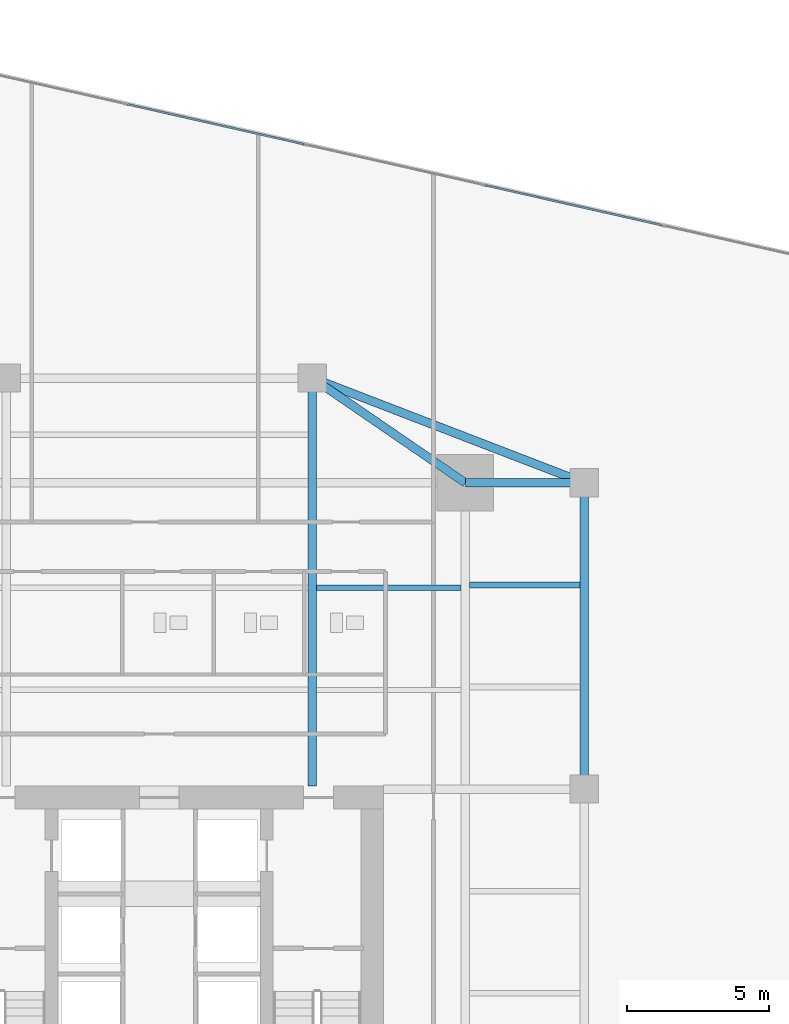
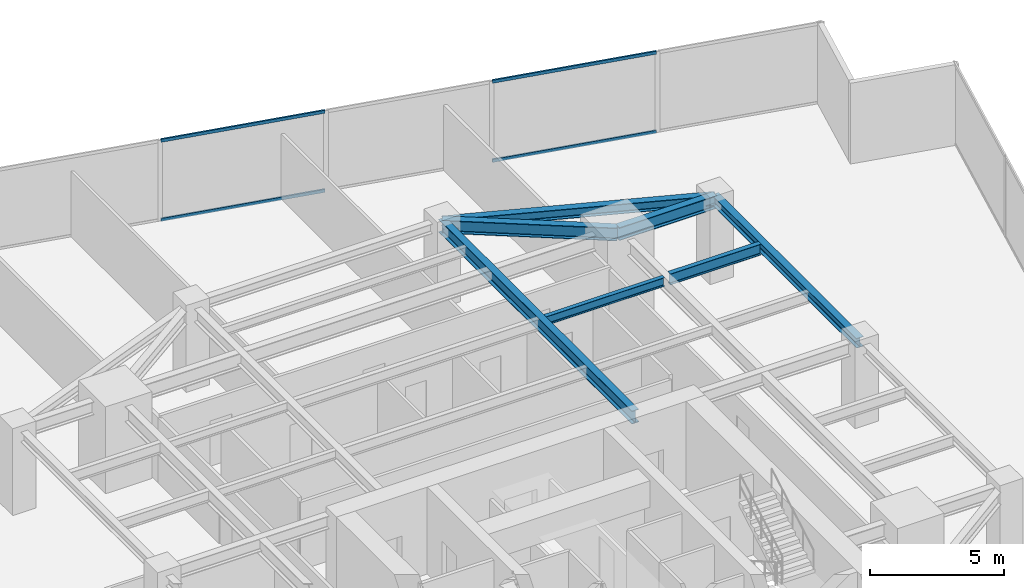
# One storey, part 19 of 26: 7 beams, 4 members, 1 element without a shape of its own.
"""IFC4 building model written with IfcOpenShell, lengths in metres."""

from ifc_helpers import new_model, si_unit, direction, frame, origin, origin_2d, place, context, subcontext, project, spatial, hollow_rectangle, i_section, extrude, source, transform, mapped, material, material_profile, profile_set, type_object, type_shapes, element, aggregate, save


model = new_model("IFC4")

# Units and contexts
model_context = context("Model", 3, precision=1e-05, world=origin(), true_north=direction((0.0, 1.0)))
body_context = subcontext(model_context, "Body", "Model", "MODEL_VIEW")
ifc_project = project(units=[si_unit("LENGTHUNIT", "METRE"), si_unit("AREAUNIT", "SQUARE_METRE"), si_unit("VOLUMEUNIT", "CUBIC_METRE"), si_unit("PLANEANGLEUNIT", "RADIAN"), si_unit("MASSUNIT", "GRAM", prefix="KILO")], contexts=[model_context])

# Site, building, storey
site_placement = place(None, origin())
site = spatial("IfcSite", under=ifc_project, at=site_placement, CompositionType="ELEMENT")
building_placement = place(site_placement, origin())
building = spatial("IfcBuilding", under=site, at=building_placement, Name="Krantzveldt Concourse Tower", CompositionType="ELEMENT")
storey_placement = place(building_placement, frame((0.0, 0.0, 94.0)))
storey = spatial("IfcBuildingStorey", under=building, at=storey_placement, Name="L22", CompositionType="ELEMENT", Elevation=94.0)

# Beams
ifc_material_1 = material(Name="Steel S355JR", Category="steel")
ifc_material_profile_1 = material_profile(ifc_material_1, i_section(OverallWidth=0.300048828125, OverallDepth=0.590087890625, WebThickness=0.012939453125, FlangeThickness=0.02490234375, FilletRadius=0.027099609375, at=origin_2d()), Name="Steel S355JR", Category="steel")
ifc_profile_set_1 = profile_set([ifc_material_profile_1], Name="Steel S355JR - HEA 600")
beam_type_1 = type_object("IfcBeamType", Name="BM-B-HEA600", PredefinedType="BEAM", material=ifc_profile_set_1)
shared_shape_1 = source(origin(), body_context, "Body", "SweptSolid", [
    extrude(i_section(OverallWidth=0.300048828125, OverallDepth=0.590087890625, WebThickness=0.012939453125, FlangeThickness=0.02490234375, FilletRadius=0.027099609375, at=origin_2d()), origin(), (0.0, 0.0, 1.0), 14.39990234375),
])
beam_1_placement = place(storey_placement, frame((41.39990234375, 26.800048828125, 3.375), z_axis=(0.0, 1.0, 0.0), x_axis=(-1.0, 0.0, 0.0)))
element("IfcBeam", 1, at=beam_1_placement, inside=storey, type_object=beam_type_1, Name="L22 Tower Girder BG-CNE", PredefinedType="BEAM", context=body_context, shape_type="MappedRepresentation", body=[
    mapped(shared_shape_1, transform((0.0, 0.0, 0.0), x_axis=(1.0, 0.0, 0.0), y_axis=(0.0, 1.0, 0.0), z_axis=(0.0, 0.0, 1.0), scale=1.0)),
])
ifc_material_profile_2 = material_profile(ifc_material_1, i_section(OverallWidth=0.300048828125, OverallDepth=0.43994140625, WebThickness=0.011474609375, FlangeThickness=0.02099609375, FilletRadius=0.027099609375, at=origin_2d()), Name="Steel S355JR", Category="steel")
ifc_profile_set_2 = profile_set([ifc_material_profile_2], Name="Steel S355JR - HEA 450")
beam_type_2 = type_object("IfcBeamType", Name="BM-SP-HEA450", PredefinedType="SPANDREL", material=ifc_profile_set_2)
shared_shape_2 = source(origin(), body_context, "Body", "SweptSolid", [
    extrude(i_section(OverallWidth=0.300048828125, OverallDepth=0.43994140625, WebThickness=0.011474609375, FlangeThickness=0.02099609375, FilletRadius=0.027099609375, at=origin_2d()), origin(), (0.0, 0.0, 1.0), 10.800048828125),
])
beam_2_placement = place(storey_placement, frame((51.0, 37.5, 3.449951171875), z_axis=(0.0, -1.0, 0.0), x_axis=(1.0, 0.0, 0.0)))
element("IfcBeam", 2, at=beam_2_placement, inside=storey, type_object=beam_type_2, Name="L22 Tower Girder SP-R06", PredefinedType="SPANDREL", context=body_context, shape_type="MappedRepresentation", body=[
    mapped(shared_shape_2, transform((0.0, 0.0, 0.0), x_axis=(1.0, 0.0, 0.0), y_axis=(0.0, 1.0, 0.0), z_axis=(0.0, 0.0, 1.0), scale=1.0)),
])
shared_shape_3 = source(origin(), body_context, "Body", "SweptSolid", [
    extrude(i_section(OverallWidth=0.300048828125, OverallDepth=0.43994140625, WebThickness=0.011474609375, FlangeThickness=0.02099609375, FilletRadius=0.027099609375, at=origin_2d()), origin(), (0.0, 0.0, 1.0), 10.288330078125),
])
type_shapes(beam_type_2, [shared_shape_2, shared_shape_3])
beam_3_placement = place(storey_placement, frame((41.39990234375, 41.199951171875, 3.449951171875), z_axis=(0.933097690408, -0.359622997257, 0.0), x_axis=(0.359622997257, 0.933097690408, 0.0)))
element("IfcBeam", 3, at=beam_3_placement, inside=storey, type_object=beam_type_2, Name="L22 Tower Girder SP-R05", PredefinedType="SPANDREL", context=body_context, shape_type="MappedRepresentation", body=[
    mapped(shared_shape_3, transform((0.0, 0.0, 0.0), x_axis=(1.0, 0.0, 0.0), y_axis=(0.0, 1.0, 0.0), z_axis=(0.0, 0.0, 1.0), scale=1.0)),
])
shared_shape_4 = source(origin(), body_context, "Body", "SweptSolid", [
    extrude(i_section(OverallWidth=0.300048828125, OverallDepth=0.590087890625, WebThickness=0.012939453125, FlangeThickness=0.02490234375, FilletRadius=0.027099609375, at=origin_2d()), origin(), (0.0, 0.0, 1.0), 4.199951171875),
])
beam_4_placement = place(storey_placement, frame((46.800048828125, 37.5, 3.375), z_axis=(1.0, 0.0, 0.0), x_axis=(0.0, 1.0, 0.0)))
element("IfcBeam", 4, at=beam_4_placement, inside=storey, type_object=beam_type_1, Name="L22 Tower Girder BR-RR3", PredefinedType="BEAM", context=body_context, shape_type="MappedRepresentation", body=[
    mapped(shared_shape_4, transform((0.0, 0.0, 0.0), x_axis=(1.0, 0.0, 0.0), y_axis=(0.0, 1.0, 0.0), z_axis=(0.0, 0.0, 1.0), scale=1.0)),
])
shared_shape_5 = source(origin(), body_context, "Body", "SweptSolid", [
    extrude(i_section(OverallWidth=0.300048828125, OverallDepth=0.590087890625, WebThickness=0.012939453125, FlangeThickness=0.02490234375, FilletRadius=0.027099609375, at=origin_2d()), origin(), (0.0, 0.0, 1.0), 6.546142578125),
])
type_shapes(beam_type_1, [shared_shape_1, shared_shape_4, shared_shape_5])
beam_5_placement = place(storey_placement, frame((46.800048828125, 37.5, 3.375), z_axis=(-0.824942999484, 0.565215930068, 0.0), x_axis=(-0.565215930068, -0.824942999484, 0.0)))
element("IfcBeam", 5, at=beam_5_placement, inside=storey, type_object=beam_type_1, Name="L22 Tower Girder BR-RR4", PredefinedType="BEAM", context=body_context, shape_type="MappedRepresentation", body=[
    mapped(shared_shape_5, transform((0.0, 0.0, 0.0), x_axis=(1.0, 0.0, 0.0), y_axis=(0.0, 1.0, 0.0), z_axis=(0.0, 0.0, 1.0), scale=1.0)),
])
ifc_material_profile_3 = material_profile(ifc_material_1, i_section(OverallWidth=0.179931640625, OverallDepth=0.39990234375, WebThickness=0.008544921875, FlangeThickness=0.013427734375, FilletRadius=0.02099609375, at=origin_2d()), Name="Steel S355JR", Category="steel")
ifc_profile_set_3 = profile_set([ifc_material_profile_3], Name="Steel S355JR - IPE 400")
beam_type_3 = type_object("IfcBeamType", Name="BM-J-IPE400", PredefinedType="JOIST", material=ifc_profile_set_3)
shared_shape_6 = source(origin(), body_context, "Body", "SweptSolid", [
    extrude(i_section(OverallWidth=0.179931640625, OverallDepth=0.39990234375, WebThickness=0.008544921875, FlangeThickness=0.013427734375, FilletRadius=0.02099609375, at=origin_2d()), origin(), (0.0, 0.0, 1.0), 5.099853515625),
])
type_shapes(beam_type_3, [shared_shape_6])
beam_6_placement = place(storey_placement, frame((41.550048828125, 33.800048828125, 3.469970703125), z_axis=(1.0, 0.0, 0.0), x_axis=(0.0, 1.0, 0.0)))
element("IfcBeam", 6, at=beam_6_placement, inside=storey, type_object=beam_type_3, Name="L22 Secondary Floor Joist JN-E2", PredefinedType="JOIST", context=body_context, shape_type="MappedRepresentation", body=[
    mapped(shared_shape_6, transform((0.0, 0.0, 0.0), x_axis=(1.0, 0.0, 0.0), y_axis=(0.0, 1.0, 0.0), z_axis=(0.0, 0.0, 1.0), scale=1.0)),
])
ifc_material_profile_4 = material_profile(ifc_material_1, i_section(OverallWidth=0.199951171875, OverallDepth=0.5, WebThickness=0.01025390625, FlangeThickness=0.01611328125, FilletRadius=0.02099609375, at=origin_2d()), Name="Steel S355JR", Category="steel")
ifc_profile_set_4 = profile_set([ifc_material_profile_4], Name="Steel S355JR - IPE 500")
beam_type_4 = type_object("IfcBeamType", Name="BM-J-IPE500", PredefinedType="JOIST", material=ifc_profile_set_4)
shared_shape_7 = source(origin(), body_context, "Body", "SweptSolid", [
    extrude(i_section(OverallWidth=0.199951171875, OverallDepth=0.5, WebThickness=0.01025390625, FlangeThickness=0.01611328125, FilletRadius=0.02099609375, at=origin_2d()), origin(), (0.0, 0.0, 1.0), 3.900146484375),
])
type_shapes(beam_type_4, [shared_shape_7])
beam_7_placement = place(storey_placement, frame((46.949951171875, 33.89990234375, 3.419921875), z_axis=(1.0, 0.0, 0.0), x_axis=(0.0, 1.0, 0.0)))
element("IfcBeam", 7, at=beam_7_placement, inside=storey, type_object=beam_type_4, Name="L22 Secondary Floor Joist JE-4", PredefinedType="JOIST", context=body_context, shape_type="MappedRepresentation", body=[
    mapped(shared_shape_7, transform((0.0, 0.0, 0.0), x_axis=(1.0, 0.0, 0.0), y_axis=(0.0, 1.0, 0.0), z_axis=(0.0, 0.0, 1.0), scale=1.0)),
])

# Curtain wall, members
ifc_material_2 = material(Name="Anodised aluminium 6063-T6", Category="aluminium")
curtain_wall_type = type_object("IfcCurtainWallType", Name="CW2", PredefinedType="USERDEFINED", material=ifc_material_2)
curtain_wall_placement = place(storey_placement, origin())
curtain_wall = element("IfcCurtainWall", 8, at=curtain_wall_placement, inside=storey, type_object=curtain_wall_type, Name="CW-L22-F10", ObjectType="UNITISED CURTAIN WALL", PredefinedType="USERDEFINED")
ifc_material_profile_5 = material_profile(ifc_material_2, hollow_rectangle(XDim=0.070068359375, YDim=0.139892578125, WallThickness=0.0048828125, at=origin_2d()), Name="Anodised aluminium 6063-T6", Category="aluminium")
ifc_profile_set_5 = profile_set([ifc_material_profile_5], Name="Anodised aluminium 6063-T6 - ALU-TRAN 140x70x5")
member_type = type_object("IfcMemberType", Name="CW-TRN-150", PredefinedType="USERDEFINED", material=ifc_profile_set_5)
shared_shape_8 = source(origin(), body_context, "Body", "SweptSolid", [
    extrude(hollow_rectangle(XDim=0.070068359375, YDim=0.139892578125, WallThickness=0.0048828125, at=origin_2d()), origin(), (0.0, 0.0, 1.0), 6.396728515625),
])
type_shapes(member_type, [shared_shape_8])
member_1_placement = place(storey_placement, frame((53.724853515625, 46.588623046875, 0.034912109375), z_axis=(-0.975346478519, 0.220679058454, 0.0), x_axis=(-0.220679058454, -0.975346478519, 0.0)))
member_1 = element("IfcMember", 9, at=member_1_placement, type_object=member_type, Name="CW-Z12 transom 2.1", ObjectType="TRANSOM", PredefinedType="USERDEFINED", context=body_context, shape_type="MappedRepresentation", body=[
    mapped(shared_shape_8, transform((0.0, 0.0, 0.0), x_axis=(1.0, 0.0, 0.0), y_axis=(0.0, 1.0, 0.0), z_axis=(0.0, 0.0, 1.0), scale=1.0)),
])
member_2_placement = place(storey_placement, frame((53.724853515625, 46.588623046875, 3.635009765625), z_axis=(-0.975346478519, 0.220679058454, 0.0), x_axis=(-0.220679058454, -0.975346478519, 0.0)))
member_2 = element("IfcMember", 10, at=member_2_placement, type_object=member_type, Name="CW-Z12 transom 2.2", ObjectType="TRANSOM", PredefinedType="USERDEFINED", context=body_context, shape_type="MappedRepresentation", body=[
    mapped(shared_shape_8, transform((0.0, 0.0, 0.0), x_axis=(1.0, 0.0, 0.0), y_axis=(0.0, 1.0, 0.0), z_axis=(0.0, 0.0, 1.0), scale=1.0)),
])
member_3_placement = place(storey_placement, frame((41.1103515625, 49.44287109375, 0.034912109375), z_axis=(-0.975338262998, 0.220715365874, 0.0), x_axis=(-0.220715365874, -0.975338262998, 0.0)))
member_3 = element("IfcMember", 11, at=member_3_placement, type_object=member_type, Name="CW-Z12 transom 4.1", ObjectType="TRANSOM", PredefinedType="USERDEFINED", context=body_context, shape_type="MappedRepresentation", body=[
    mapped(shared_shape_8, transform((0.0, 0.0, 0.0), x_axis=(1.0, 0.0, 0.0), y_axis=(0.0, 1.0, 0.0), z_axis=(0.0, 0.0, 1.0), scale=1.0)),
])
member_4_placement = place(storey_placement, frame((41.1103515625, 49.44287109375, 3.635009765625), z_axis=(-0.975338262998, 0.220715365874, 0.0), x_axis=(-0.220715365874, -0.975338262998, 0.0)))
member_4 = element("IfcMember", 12, at=member_4_placement, type_object=member_type, Name="CW-Z12 transom 4.2", ObjectType="TRANSOM", PredefinedType="USERDEFINED", context=body_context, shape_type="MappedRepresentation", body=[
    mapped(shared_shape_8, transform((0.0, 0.0, 0.0), x_axis=(1.0, 0.0, 0.0), y_axis=(0.0, 1.0, 0.0), z_axis=(0.0, 0.0, 1.0), scale=1.0)),
])
aggregate(curtain_wall, [member_1, member_2, member_3, member_4])

save(model, "model.ifc")
